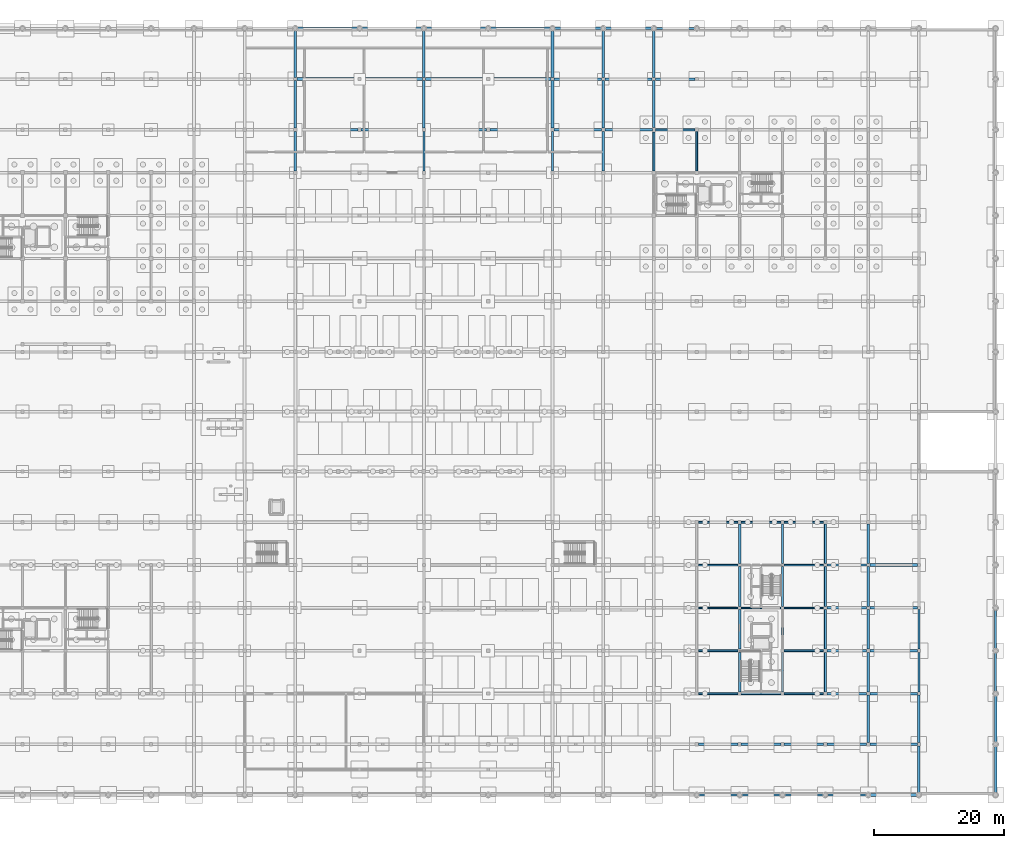
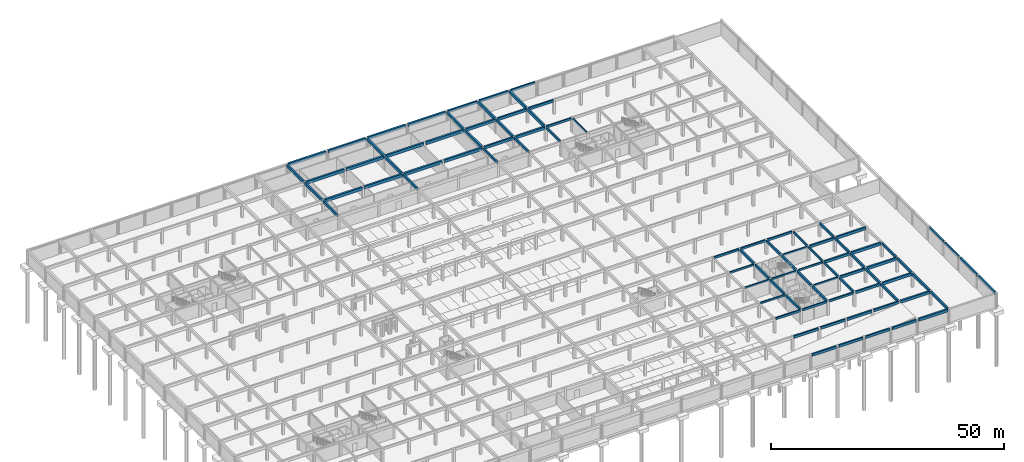
# One storey, part 20 of 37: 93 beams.
"""IFC4 building model written with IfcOpenShell, lengths in metres."""

from ifc_helpers import new_model, si_unit, direction, frame, origin, origin_2d, place, context, subcontext, project, spatial, rectangle, extrude, material, material_profile, profile_set, type_object, element, save


model = new_model("IFC4")

# Units and contexts
model_context = context("Model", 3, precision=1e-05, world=origin(), true_north=direction((0.0, 1.0)))
body_context = subcontext(model_context, "Body", "Model", "MODEL_VIEW")
ifc_project = project(units=[si_unit("LENGTHUNIT", "METRE"), si_unit("AREAUNIT", "SQUARE_METRE"), si_unit("VOLUMEUNIT", "CUBIC_METRE"), si_unit("PLANEANGLEUNIT", "RADIAN"), si_unit("MASSUNIT", "GRAM", prefix="KILO")], contexts=[model_context])

# Site, building, storey
site_placement = place(None, origin())
site = spatial("IfcSite", under=ifc_project, at=site_placement, CompositionType="ELEMENT")
building_placement = place(site_placement, origin())
building = spatial("IfcBuilding", under=site, at=building_placement, Name="Kernevlak Ridge Housing Community", CompositionType="ELEMENT")
storey_placement = place(building_placement, frame((0.0, 0.0, -3.800048828125)))
storey = spatial("IfcBuildingStorey", under=building, at=storey_placement, Name="B1", CompositionType="ELEMENT", Elevation=-3.800048828125)

# Beams
ifc_material = material(Name="Concrete C35/45", Category="concrete")
ifc_material_profile_1 = material_profile(ifc_material, rectangle(XDim=0.39990234375, YDim=0.699951171875, at=origin_2d()), Name="RC 400x700")
ifc_profile_set_1 = profile_set([ifc_material_profile_1], Name="Concrete C35/45")
beam_type_1 = type_object("IfcBeamType", Name="B-01", PredefinedType="BEAM", material=ifc_profile_set_1)
beam_1_placement = place(storey_placement, frame((152.699951171875, 0.0, 3.449951171875), z_axis=(1.0, 0.0, 0.0), x_axis=(0.0, 1.0, 0.0)))
element("IfcBeam", 1, at=beam_1_placement, inside=storey, type_object=beam_type_1, Name="Beam B-01 B1 1553", PredefinedType="BEAM", context=body_context, shape_type="SweptSolid", body=[
    extrude(rectangle(XDim=0.39990234375, YDim=0.699951171875, at=origin_2d()), origin(), (0.0, 0.0, 1.0), 7.199951171875),
])
for number, where, z_axis, x_axis, name in (
    (2, (152.64990234375, 7.800048828125, 3.449951171875), (1.0, 0.0, 0.0), (0.0, 1.0, 0.0), "Beam B-01 B1 1584"),
    (3, (152.64990234375, 15.60009765625, 3.449951171875), (1.0, 0.0, 0.0), (0.0, 1.0, 0.0), "Beam B-01 B1 1598"),
    (4, (152.64990234375, 22.199951171875, 3.449951171875), (1.0, 0.0, 0.0), (0.0, 1.0, 0.0), "Beam B-01 B1 1612"),
    (5, (152.64990234375, 28.800048828125, 3.449951171875), (1.0, 0.0, 0.0), (0.0, 1.0, 0.0), "Beam B-01 B1 1626"),
    (6, (152.64990234375, 35.39990234375, 3.449951171875), (1.0, 0.0, 0.0), (0.0, 1.0, 0.0), "Beam B-01 B1 1640"),
    (7, (104.050048828125, 102.39990234375, 3.449951171875), (1.0, 0.0, 0.0), (0.0, 1.0, 0.0), "Beam B-01 B1 1801"),
):
    element("IfcBeam", number, at=place(storey_placement, frame(where, z_axis=z_axis, x_axis=x_axis)), inside=storey, type_object=beam_type_1, Name=name, PredefinedType="BEAM", context=body_context, shape_type="SweptSolid", body=[
        extrude(rectangle(XDim=0.39990234375, YDim=0.699951171875, at=origin_2d()), origin(), (0.0, 0.0, 1.0), 7.300048828125),
    ])
beam_2_placement = place(storey_placement, frame((111.85009765625, 102.39990234375, 3.449951171875), z_axis=(1.0, 0.0, 0.0), x_axis=(0.0, 1.0, 0.0)))
element("IfcBeam", 8, at=beam_2_placement, inside=storey, type_object=beam_type_1, Name="Beam B-01 B1 1802", PredefinedType="BEAM", context=body_context, shape_type="SweptSolid", body=[
    extrude(rectangle(XDim=0.39990234375, YDim=0.699951171875, at=origin_2d()), origin(), (0.0, 0.0, 1.0), 7.324951171875),
])
beam_3_placement = place(storey_placement, frame((104.050048828125, 110.199951171875, 3.449951171875), z_axis=(1.0, 0.0, 0.0), x_axis=(0.0, 1.0, 0.0)))
element("IfcBeam", 9, at=beam_3_placement, inside=storey, type_object=beam_type_1, Name="Beam B-01 B1 1817", PredefinedType="BEAM", context=body_context, shape_type="SweptSolid", body=[
    extrude(rectangle(XDim=0.39990234375, YDim=0.699951171875, at=origin_2d()), origin(), (0.0, 0.0, 1.0), 7.300048828125),
])
beam_4_placement = place(storey_placement, frame((111.85009765625, 110.199951171875, 3.449951171875), z_axis=(1.0, 0.0, 0.0), x_axis=(0.0, 1.0, 0.0)))
element("IfcBeam", 10, at=beam_4_placement, inside=storey, type_object=beam_type_1, Name="Beam B-01 B1 1818", PredefinedType="BEAM", context=body_context, shape_type="SweptSolid", body=[
    extrude(rectangle(XDim=0.39990234375, YDim=0.699951171875, at=origin_2d()), origin(), (0.0, 0.0, 1.0), 7.2998046875),
])
beam_5_placement = place(storey_placement, frame((104.10009765625, 118.0, 3.449951171875), z_axis=(1.0, 0.0, 0.0), x_axis=(0.0, 1.0, 0.0)))
element("IfcBeam", 11, at=beam_5_placement, inside=storey, type_object=beam_type_1, Name="Beam B-01 B1 1838", PredefinedType="BEAM", context=body_context, shape_type="SweptSolid", body=[
    extrude(rectangle(XDim=0.39990234375, YDim=0.699951171875, at=origin_2d()), origin(), (0.0, 0.0, 1.0), 7.199951171875),
])
beam_6_placement = place(storey_placement, frame((111.89990234375, 118.0, 3.449951171875), z_axis=(1.0, 0.0, 0.0), x_axis=(0.0, 1.0, 0.0)))
element("IfcBeam", 12, at=beam_6_placement, inside=storey, type_object=beam_type_1, Name="Beam B-01 B1 1839", PredefinedType="BEAM", context=body_context, shape_type="SweptSolid", body=[
    extrude(rectangle(XDim=0.39990234375, YDim=0.699951171875, at=origin_2d()), origin(), (0.0, 0.0, 1.0), 7.2001953125),
])
beam_7_placement = place(storey_placement, frame((64.199951171875, 102.64990234375, 3.449951171875), z_axis=(0.0, 1.0, 0.0), x_axis=(-1.0, 0.0, 0.0)))
element("IfcBeam", 13, at=beam_7_placement, inside=storey, type_object=beam_type_1, Name="Beam B-01 B1 1932", PredefinedType="BEAM", context=body_context, shape_type="SweptSolid", body=[
    extrude(rectangle(XDim=0.39990234375, YDim=0.699951171875, at=origin_2d()), origin(), (0.0, 0.0, 1.0), 7.300048828125),
])
beam_8_placement = place(storey_placement, frame((64.199951171875, 110.449951171875, 3.449951171875), z_axis=(0.0, 1.0, 0.0), x_axis=(-1.0, 0.0, 0.0)))
element("IfcBeam", 14, at=beam_8_placement, inside=storey, type_object=beam_type_1, Name="Beam B-01 B1 1933", PredefinedType="BEAM", context=body_context, shape_type="SweptSolid", body=[
    extrude(rectangle(XDim=0.39990234375, YDim=0.699951171875, at=origin_2d()), origin(), (0.0, 0.0, 1.0), 7.25),
])
beam_9_placement = place(storey_placement, frame((84.0, 102.64990234375, 3.449951171875), z_axis=(0.0, 1.0, 0.0), x_axis=(-1.0, 0.0, 0.0)))
element("IfcBeam", 15, at=beam_9_placement, inside=storey, type_object=beam_type_1, Name="Beam B-01 B1 1949", PredefinedType="BEAM", context=body_context, shape_type="SweptSolid", body=[
    extrude(rectangle(XDim=0.39990234375, YDim=0.699951171875, at=origin_2d()), origin(), (0.0, 0.0, 1.0), 7.300048828125),
])
beam_10_placement = place(storey_placement, frame((84.0, 110.449951171875, 3.449951171875), z_axis=(0.0, 1.0, 0.0), x_axis=(-1.0, 0.0, 0.0)))
element("IfcBeam", 16, at=beam_10_placement, inside=storey, type_object=beam_type_1, Name="Beam B-01 B1 1950", PredefinedType="BEAM", context=body_context, shape_type="SweptSolid", body=[
    extrude(rectangle(XDim=0.39990234375, YDim=0.699951171875, at=origin_2d()), origin(), (0.0, 0.0, 1.0), 7.25),
])
beam_11_placement = place(storey_placement, frame((103.800048828125, 102.64990234375, 3.449951171875), z_axis=(0.0, 1.0, 0.0), x_axis=(-1.0, 0.0, 0.0)))
element("IfcBeam", 17, at=beam_11_placement, inside=storey, type_object=beam_type_1, Name="Beam B-01 B1 1966", PredefinedType="BEAM", context=body_context, shape_type="SweptSolid", body=[
    extrude(rectangle(XDim=0.39990234375, YDim=0.699951171875, at=origin_2d()), origin(), (0.0, 0.0, 1.0), 7.300048828125),
])
beam_12_placement = place(storey_placement, frame((103.800048828125, 110.449951171875, 3.449951171875), z_axis=(0.0, 1.0, 0.0), x_axis=(-1.0, 0.0, 0.0)))
element("IfcBeam", 18, at=beam_12_placement, inside=storey, type_object=beam_type_1, Name="Beam B-01 B1 1967", PredefinedType="BEAM", context=body_context, shape_type="SweptSolid", body=[
    extrude(rectangle(XDim=0.39990234375, YDim=0.699951171875, at=origin_2d()), origin(), (0.0, 0.0, 1.0), 7.25),
])
beam_13_placement = place(storey_placement, frame((111.60009765625, 102.64990234375, 3.449951171875), z_axis=(0.0, 1.0, 0.0), x_axis=(-1.0, 0.0, 0.0)))
element("IfcBeam", 19, at=beam_13_placement, inside=storey, type_object=beam_type_1, Name="Beam B-01 B1 1982", PredefinedType="BEAM", context=body_context, shape_type="SweptSolid", body=[
    extrude(rectangle(XDim=0.39990234375, YDim=0.699951171875, at=origin_2d()), origin(), (0.0, 0.0, 1.0), 7.300048828125),
])
beam_14_placement = place(storey_placement, frame((111.60009765625, 110.449951171875, 3.449951171875), z_axis=(0.0, 1.0, 0.0), x_axis=(-1.0, 0.0, 0.0)))
element("IfcBeam", 20, at=beam_14_placement, inside=storey, type_object=beam_type_1, Name="Beam B-01 B1 1983", PredefinedType="BEAM", context=body_context, shape_type="SweptSolid", body=[
    extrude(rectangle(XDim=0.39990234375, YDim=0.699951171875, at=origin_2d()), origin(), (0.0, 0.0, 1.0), 7.25),
])
beam_15_placement = place(storey_placement, frame((119.39990234375, 102.72509765625, 3.449951171875), z_axis=(0.0, 1.0, 0.0), x_axis=(-1.0, 0.0, 0.0)))
element("IfcBeam", 21, at=beam_15_placement, inside=storey, type_object=beam_type_1, Name="Beam B-01 B1 1995", PredefinedType="BEAM", context=body_context, shape_type="SweptSolid", body=[
    extrude(rectangle(XDim=0.39990234375, YDim=0.699951171875, at=origin_2d()), origin(), (0.0, 0.0, 1.0), 7.224853515625),
])
beam_16_placement = place(storey_placement, frame((119.39990234375, 110.449951171875, 3.449951171875), z_axis=(0.0, 1.0, 0.0), x_axis=(-1.0, 0.0, 0.0)))
element("IfcBeam", 22, at=beam_16_placement, inside=storey, type_object=beam_type_1, Name="Beam B-01 B1 1996", PredefinedType="BEAM", context=body_context, shape_type="SweptSolid", body=[
    extrude(rectangle(XDim=0.39990234375, YDim=0.699951171875, at=origin_2d()), origin(), (0.0, 0.0, 1.0), 7.25),
])
beam_17_placement = place(storey_placement, frame((152.39990234375, 8.050048828125, 3.449951171875), z_axis=(0.0, 1.0, 0.0), x_axis=(-1.0, 0.0, 0.0)))
element("IfcBeam", 23, at=beam_17_placement, inside=storey, type_object=beam_type_1, Name="Beam B-01 B1 1997", PredefinedType="BEAM", context=body_context, shape_type="SweptSolid", body=[
    extrude(rectangle(XDim=0.39990234375, YDim=0.699951171875, at=origin_2d()), origin(), (0.0, 0.0, 1.0), 7.300048828125),
])
beam_18_placement = place(storey_placement, frame((160.199951171875, 0.300048828125, 3.449951171875), z_axis=(0.0, 1.0, 0.0), x_axis=(-1.0, 0.0, 0.0)))
element("IfcBeam", 24, at=beam_18_placement, inside=storey, type_object=beam_type_1, Name="Beam B-01 B1 2009", PredefinedType="BEAM", context=body_context, shape_type="SweptSolid", body=[
    extrude(rectangle(XDim=0.39990234375, YDim=0.699951171875, at=origin_2d()), origin(), (0.0, 0.0, 1.0), 7.25),
])
beam_19_placement = place(storey_placement, frame((160.199951171875, 8.050048828125, 3.449951171875), z_axis=(0.0, 1.0, 0.0), x_axis=(-1.0, 0.0, 0.0)))
element("IfcBeam", 25, at=beam_19_placement, inside=storey, type_object=beam_type_1, Name="Beam B-01 B1 2010", PredefinedType="BEAM", context=body_context, shape_type="SweptSolid", body=[
    extrude(rectangle(XDim=0.39990234375, YDim=0.699951171875, at=origin_2d()), origin(), (0.0, 0.0, 1.0), 7.300048828125),
])
beam_20_placement = place(storey_placement, frame((172.0, 0.35009765625, 3.449951171875), z_axis=(0.0, 1.0, 0.0), x_axis=(-1.0, 0.0, 0.0)))
element("IfcBeam", 26, at=beam_20_placement, inside=storey, type_object=beam_type_1, Name="Beam B-01 B1 2025", PredefinedType="BEAM", context=body_context, shape_type="SweptSolid", body=[
    extrude(rectangle(XDim=0.39990234375, YDim=0.699951171875, at=origin_2d()), origin(), (0.0, 0.0, 1.0), 7.14990234375),
])
beam_21_placement = place(storey_placement, frame((172.0, 8.10009765625, 3.449951171875), z_axis=(0.0, 1.0, 0.0), x_axis=(-1.0, 0.0, 0.0)))
element("IfcBeam", 27, at=beam_21_placement, inside=storey, type_object=beam_type_1, Name="Beam B-01 B1 2026", PredefinedType="BEAM", context=body_context, shape_type="SweptSolid", body=[
    extrude(rectangle(XDim=0.39990234375, YDim=0.699951171875, at=origin_2d()), origin(), (0.0, 0.0, 1.0), 7.199951171875),
])
ifc_material_profile_2 = material_profile(ifc_material, rectangle(XDim=0.35009765625, YDim=0.64990234375, at=origin_2d()), Name="RC 350x650")
ifc_profile_set_2 = profile_set([ifc_material_profile_2], Name="Concrete C35/45")
beam_type_2 = type_object("IfcBeamType", Name="B-02", PredefinedType="BEAM", material=ifc_profile_set_2)
beam_22_placement = place(storey_placement, frame((132.60009765625, 15.85009765625, 3.47509765625), z_axis=(0.0, 1.0, 0.0), x_axis=(-1.0, 0.0, 0.0)))
element("IfcBeam", 28, at=beam_22_placement, inside=storey, type_object=beam_type_2, Name="Beam B-02 B1 963", PredefinedType="BEAM", context=body_context, shape_type="SweptSolid", body=[
    extrude(rectangle(XDim=0.35009765625, YDim=0.64990234375, at=origin_2d()), origin(), (0.0, 0.0, 1.0), 6.099853515625),
])
beam_23_placement = place(storey_placement, frame((132.60009765625, 22.449951171875, 3.47509765625), z_axis=(0.0, 1.0, 0.0), x_axis=(-1.0, 0.0, 0.0)))
element("IfcBeam", 29, at=beam_23_placement, inside=storey, type_object=beam_type_2, Name="Beam B-02 B1 964", PredefinedType="BEAM", context=body_context, shape_type="SweptSolid", body=[
    extrude(rectangle(XDim=0.35009765625, YDim=0.64990234375, at=origin_2d()), origin(), (0.0, 0.0, 1.0), 6.10009765625),
])
beam_24_placement = place(storey_placement, frame((132.60009765625, 29.050048828125, 3.47509765625), z_axis=(0.0, 1.0, 0.0), x_axis=(-1.0, 0.0, 0.0)))
element("IfcBeam", 30, at=beam_24_placement, inside=storey, type_object=beam_type_2, Name="Beam B-02 B1 965", PredefinedType="BEAM", context=body_context, shape_type="SweptSolid", body=[
    extrude(rectangle(XDim=0.35009765625, YDim=0.64990234375, at=origin_2d()), origin(), (0.0, 0.0, 1.0), 6.099853515625),
])
beam_25_placement = place(storey_placement, frame((132.60009765625, 35.64990234375, 3.47509765625), z_axis=(0.0, 1.0, 0.0), x_axis=(-1.0, 0.0, 0.0)))
element("IfcBeam", 31, at=beam_25_placement, inside=storey, type_object=beam_type_2, Name="Beam B-02 B1 966", PredefinedType="BEAM", context=body_context, shape_type="SweptSolid", body=[
    extrude(rectangle(XDim=0.35009765625, YDim=0.64990234375, at=origin_2d()), origin(), (0.0, 0.0, 1.0), 6.10009765625),
])
beam_26_placement = place(storey_placement, frame((139.199951171875, 15.85009765625, 3.47509765625), z_axis=(0.0, 1.0, 0.0), x_axis=(-1.0, 0.0, 0.0)))
element("IfcBeam", 32, at=beam_26_placement, inside=storey, type_object=beam_type_2, Name="Beam B-02 B1 967", PredefinedType="BEAM", context=body_context, shape_type="SweptSolid", body=[
    extrude(rectangle(XDim=0.35009765625, YDim=0.64990234375, at=origin_2d()), origin(), (0.0, 0.0, 1.0), 6.099853515625),
])
beam_27_placement = place(storey_placement, frame((139.199951171875, 22.449951171875, 3.47509765625), z_axis=(0.0, 1.0, 0.0), x_axis=(-1.0, 0.0, 0.0)))
element("IfcBeam", 33, at=beam_27_placement, inside=storey, type_object=beam_type_2, Name="Beam B-02 B1 968", PredefinedType="BEAM", context=body_context, shape_type="SweptSolid", body=[
    extrude(rectangle(XDim=0.35009765625, YDim=0.64990234375, at=origin_2d()), origin(), (0.0, 0.0, 1.0), 6.10009765625),
])
beam_28_placement = place(storey_placement, frame((139.199951171875, 29.050048828125, 3.47509765625), z_axis=(0.0, 1.0, 0.0), x_axis=(-1.0, 0.0, 0.0)))
element("IfcBeam", 34, at=beam_28_placement, inside=storey, type_object=beam_type_2, Name="Beam B-02 B1 969", PredefinedType="BEAM", context=body_context, shape_type="SweptSolid", body=[
    extrude(rectangle(XDim=0.35009765625, YDim=0.64990234375, at=origin_2d()), origin(), (0.0, 0.0, 1.0), 6.099853515625),
])
beam_29_placement = place(storey_placement, frame((139.199951171875, 35.64990234375, 3.47509765625), z_axis=(0.0, 1.0, 0.0), x_axis=(-1.0, 0.0, 0.0)))
element("IfcBeam", 35, at=beam_29_placement, inside=storey, type_object=beam_type_2, Name="Beam B-02 B1 970", PredefinedType="BEAM", context=body_context, shape_type="SweptSolid", body=[
    extrude(rectangle(XDim=0.35009765625, YDim=0.64990234375, at=origin_2d()), origin(), (0.0, 0.0, 1.0), 6.10009765625),
])
for number, where, z_axis, x_axis, name in (
    (36, (126.300048828125, 0.0, 3.47509765625), (1.0, 0.0, 0.0), (0.0, 1.0, 0.0), "Beam B-02 B1 1549"),
    (37, (132.89990234375, 0.0, 3.47509765625), (1.0, 0.0, 0.0), (0.0, 1.0, 0.0), "Beam B-02 B1 1550"),
    (38, (139.5, 0.0, 3.47509765625), (1.0, 0.0, 0.0), (0.0, 1.0, 0.0), "Beam B-02 B1 1551"),
    (39, (146.10009765625, 0.0, 3.47509765625), (1.0, 0.0, 0.0), (0.0, 1.0, 0.0), "Beam B-02 B1 1552"),
):
    element("IfcBeam", number, at=place(storey_placement, frame(where, z_axis=z_axis, x_axis=x_axis)), inside=storey, type_object=beam_type_2, Name=name, PredefinedType="BEAM", context=body_context, shape_type="SweptSolid", body=[
        extrude(rectangle(XDim=0.35009765625, YDim=0.64990234375, at=origin_2d()), origin(), (0.0, 0.0, 1.0), 6.0),
    ])
beam_30_placement = place(storey_placement, frame((126.25, 7.800048828125, 3.47509765625), z_axis=(1.0, 0.0, 0.0), x_axis=(0.0, 1.0, 0.0)))
element("IfcBeam", 40, at=beam_30_placement, inside=storey, type_object=beam_type_2, Name="Beam B-02 B1 1580", PredefinedType="BEAM", context=body_context, shape_type="SweptSolid", body=[
    extrude(rectangle(XDim=0.35009765625, YDim=0.64990234375, at=origin_2d()), origin(), (0.0, 0.0, 1.0), 6.10009765625),
])
beam_31_placement = place(storey_placement, frame((132.85009765625, 7.800048828125, 3.47509765625), z_axis=(1.0, 0.0, 0.0), x_axis=(0.0, 1.0, 0.0)))
element("IfcBeam", 41, at=beam_31_placement, inside=storey, type_object=beam_type_2, Name="Beam B-02 B1 1581", PredefinedType="BEAM", context=body_context, shape_type="SweptSolid", body=[
    extrude(rectangle(XDim=0.35009765625, YDim=0.64990234375, at=origin_2d()), origin(), (0.0, 0.0, 1.0), 6.099853515625),
])
beam_32_placement = place(storey_placement, frame((139.449951171875, 7.800048828125, 3.47509765625), z_axis=(1.0, 0.0, 0.0), x_axis=(0.0, 1.0, 0.0)))
element("IfcBeam", 42, at=beam_32_placement, inside=storey, type_object=beam_type_2, Name="Beam B-02 B1 1582", PredefinedType="BEAM", context=body_context, shape_type="SweptSolid", body=[
    extrude(rectangle(XDim=0.35009765625, YDim=0.64990234375, at=origin_2d()), origin(), (0.0, 0.0, 1.0), 6.10009765625),
])
for number, where, z_axis, x_axis, name in (
    (43, (146.050048828125, 7.800048828125, 3.47509765625), (1.0, 0.0, 0.0), (0.0, 1.0, 0.0), "Beam B-02 B1 1583"),
    (44, (146.050048828125, 15.60009765625, 3.47509765625), (1.0, 0.0, 0.0), (0.0, 1.0, 0.0), "Beam B-02 B1 1597"),
    (45, (146.050048828125, 22.199951171875, 3.47509765625), (1.0, 0.0, 0.0), (0.0, 1.0, 0.0), "Beam B-02 B1 1611"),
    (46, (146.050048828125, 28.800048828125, 3.47509765625), (1.0, 0.0, 0.0), (0.0, 1.0, 0.0), "Beam B-02 B1 1625"),
    (47, (146.050048828125, 35.39990234375, 3.47509765625), (1.0, 0.0, 0.0), (0.0, 1.0, 0.0), "Beam B-02 B1 1639"),
):
    element("IfcBeam", number, at=place(storey_placement, frame(where, z_axis=z_axis, x_axis=x_axis)), inside=storey, type_object=beam_type_2, Name=name, PredefinedType="BEAM", context=body_context, shape_type="SweptSolid", body=[
        extrude(rectangle(XDim=0.35009765625, YDim=0.64990234375, at=origin_2d()), origin(), (0.0, 0.0, 1.0), 6.099853515625),
    ])
beam_33_placement = place(storey_placement, frame((119.64990234375, 110.199951171875, 3.47509765625), z_axis=(1.0, 0.0, 0.0), x_axis=(0.0, 1.0, 0.0)))
element("IfcBeam", 48, at=beam_33_placement, inside=storey, type_object=beam_type_2, Name="Beam B-02 B1 1819", PredefinedType="BEAM", context=body_context, shape_type="SweptSolid", body=[
    extrude(rectangle(XDim=0.35009765625, YDim=0.64990234375, at=origin_2d()), origin(), (0.0, 0.0, 1.0), 6.10009765625),
])
beam_34_placement = place(storey_placement, frame((119.699951171875, 118.0, 3.47509765625), z_axis=(1.0, 0.0, 0.0), x_axis=(0.0, 1.0, 0.0)))
element("IfcBeam", 49, at=beam_34_placement, inside=storey, type_object=beam_type_2, Name="Beam B-02 B1 1840", PredefinedType="BEAM", context=body_context, shape_type="SweptSolid", body=[
    extrude(rectangle(XDim=0.35009765625, YDim=0.64990234375, at=origin_2d()), origin(), (0.0, 0.0, 1.0), 6.0),
])
for number, where, z_axis, x_axis, name in (
    (50, (64.199951171875, 96.050048828125, 3.47509765625), (0.0, 1.0, 0.0), (-1.0, 0.0, 0.0), "Beam B-02 B1 1931"),
    (51, (84.0, 96.050048828125, 3.47509765625), (0.0, 1.0, 0.0), (-1.0, 0.0, 0.0), "Beam B-02 B1 1948"),
    (52, (103.800048828125, 96.050048828125, 3.47509765625), (0.0, 1.0, 0.0), (-1.0, 0.0, 0.0), "Beam B-02 B1 1965"),
    (53, (111.60009765625, 96.050048828125, 3.47509765625), (0.0, 1.0, 0.0), (-1.0, 0.0, 0.0), "Beam B-02 B1 1981"),
    (54, (152.39990234375, 15.85009765625, 3.47509765625), (0.0, 1.0, 0.0), (-1.0, 0.0, 0.0), "Beam B-02 B1 1998"),
):
    element("IfcBeam", number, at=place(storey_placement, frame(where, z_axis=z_axis, x_axis=x_axis)), inside=storey, type_object=beam_type_2, Name=name, PredefinedType="BEAM", context=body_context, shape_type="SweptSolid", body=[
        extrude(rectangle(XDim=0.35009765625, YDim=0.64990234375, at=origin_2d()), origin(), (0.0, 0.0, 1.0), 6.099853515625),
    ])
beam_35_placement = place(storey_placement, frame((152.39990234375, 22.449951171875, 3.47509765625), z_axis=(0.0, 1.0, 0.0), x_axis=(-1.0, 0.0, 0.0)))
element("IfcBeam", 55, at=beam_35_placement, inside=storey, type_object=beam_type_2, Name="Beam B-02 B1 1999", PredefinedType="BEAM", context=body_context, shape_type="SweptSolid", body=[
    extrude(rectangle(XDim=0.35009765625, YDim=0.64990234375, at=origin_2d()), origin(), (0.0, 0.0, 1.0), 6.10009765625),
])
beam_36_placement = place(storey_placement, frame((152.39990234375, 29.050048828125, 3.47509765625), z_axis=(0.0, 1.0, 0.0), x_axis=(-1.0, 0.0, 0.0)))
element("IfcBeam", 56, at=beam_36_placement, inside=storey, type_object=beam_type_2, Name="Beam B-02 B1 2000", PredefinedType="BEAM", context=body_context, shape_type="SweptSolid", body=[
    extrude(rectangle(XDim=0.35009765625, YDim=0.64990234375, at=origin_2d()), origin(), (0.0, 0.0, 1.0), 6.099853515625),
])
beam_37_placement = place(storey_placement, frame((152.39990234375, 35.64990234375, 3.47509765625), z_axis=(0.0, 1.0, 0.0), x_axis=(-1.0, 0.0, 0.0)))
element("IfcBeam", 57, at=beam_37_placement, inside=storey, type_object=beam_type_2, Name="Beam B-02 B1 2001", PredefinedType="BEAM", context=body_context, shape_type="SweptSolid", body=[
    extrude(rectangle(XDim=0.35009765625, YDim=0.64990234375, at=origin_2d()), origin(), (0.0, 0.0, 1.0), 6.10009765625),
])
beam_38_placement = place(storey_placement, frame((160.199951171875, 15.85009765625, 3.47509765625), z_axis=(0.0, 1.0, 0.0), x_axis=(-1.0, 0.0, 0.0)))
element("IfcBeam", 58, at=beam_38_placement, inside=storey, type_object=beam_type_2, Name="Beam B-02 B1 2011", PredefinedType="BEAM", context=body_context, shape_type="SweptSolid", body=[
    extrude(rectangle(XDim=0.35009765625, YDim=0.64990234375, at=origin_2d()), origin(), (0.0, 0.0, 1.0), 6.099853515625),
])
beam_39_placement = place(storey_placement, frame((160.199951171875, 22.449951171875, 3.47509765625), z_axis=(0.0, 1.0, 0.0), x_axis=(-1.0, 0.0, 0.0)))
element("IfcBeam", 59, at=beam_39_placement, inside=storey, type_object=beam_type_2, Name="Beam B-02 B1 2012", PredefinedType="BEAM", context=body_context, shape_type="SweptSolid", body=[
    extrude(rectangle(XDim=0.35009765625, YDim=0.64990234375, at=origin_2d()), origin(), (0.0, 0.0, 1.0), 6.10009765625),
])
for number, where, z_axis, x_axis, name in (
    (60, (172.0, 15.89990234375, 3.47509765625), (0.0, 1.0, 0.0), (-1.0, 0.0, 0.0), "Beam B-02 B1 2027"),
    (61, (172.0, 22.5, 3.47509765625), (0.0, 1.0, 0.0), (-1.0, 0.0, 0.0), "Beam B-02 B1 2028"),
):
    element("IfcBeam", number, at=place(storey_placement, frame(where, z_axis=z_axis, x_axis=x_axis)), inside=storey, type_object=beam_type_2, Name=name, PredefinedType="BEAM", context=body_context, shape_type="SweptSolid", body=[
        extrude(rectangle(XDim=0.35009765625, YDim=0.64990234375, at=origin_2d()), origin(), (0.0, 0.0, 1.0), 6.0),
    ])
ifc_material_profile_3 = material_profile(ifc_material, rectangle(XDim=0.25, YDim=0.449951171875, at=origin_2d()), Name="RC 250x450")
ifc_profile_set_3 = profile_set([ifc_material_profile_3], Name="Concrete C35/45")
beam_type_3 = type_object("IfcBeamType", Name="B-04", PredefinedType="T_BEAM", material=ifc_profile_set_3)
beam_40_placement = place(storey_placement, frame((126.0, 96.074951171875, 3.574951171875), z_axis=(0.0, 1.0, 0.0), x_axis=(-1.0, 0.0, 0.0)))
element("IfcBeam", 62, at=beam_40_placement, inside=storey, type_object=beam_type_3, Name="Beam B-04 B1 545", PredefinedType="T_BEAM", context=body_context, shape_type="SweptSolid", body=[
    extrude(rectangle(XDim=0.25, YDim=0.449951171875, at=origin_2d()), origin(), (0.0, 0.0, 1.0), 6.050048828125),
])
for number, where, z_axis, x_axis, name in (
    (63, (126.25, 22.199951171875, 3.574951171875), (1.0, 0.0, 0.0), (0.0, 1.0, 0.0), "Beam B-04 B1 978"),
    (64, (139.449951171875, 22.199951171875, 3.574951171875), (1.0, 0.0, 0.0), (0.0, 1.0, 0.0), "Beam B-04 B1 979"),
    (65, (126.25, 28.800048828125, 3.574951171875), (1.0, 0.0, 0.0), (0.0, 1.0, 0.0), "Beam B-04 B1 980"),
):
    element("IfcBeam", number, at=place(storey_placement, frame(where, z_axis=z_axis, x_axis=x_axis)), inside=storey, type_object=beam_type_3, Name=name, PredefinedType="T_BEAM", context=body_context, shape_type="SweptSolid", body=[
        extrude(rectangle(XDim=0.25, YDim=0.449951171875, at=origin_2d()), origin(), (0.0, 0.0, 1.0), 6.10009765625),
    ])
beam_41_placement = place(storey_placement, frame((132.85009765625, 28.800048828125, 3.574951171875), z_axis=(1.0, 0.0, 0.0), x_axis=(0.0, 1.0, 0.0)))
element("IfcBeam", 66, at=beam_41_placement, inside=storey, type_object=beam_type_3, Name="Beam B-04 B1 981", PredefinedType="T_BEAM", context=body_context, shape_type="SweptSolid", body=[
    extrude(rectangle(XDim=0.25, YDim=0.449951171875, at=origin_2d()), origin(), (0.0, 0.0, 1.0), 6.099853515625),
])
for number, where, z_axis, x_axis, name in (
    (67, (139.449951171875, 28.800048828125, 3.574951171875), (1.0, 0.0, 0.0), (0.0, 1.0, 0.0), "Beam B-04 B1 982"),
    (68, (126.25, 35.39990234375, 3.574951171875), (1.0, 0.0, 0.0), (0.0, 1.0, 0.0), "Beam B-04 B1 983"),
    (69, (139.449951171875, 35.39990234375, 3.574951171875), (1.0, 0.0, 0.0), (0.0, 1.0, 0.0), "Beam B-04 B1 984"),
):
    element("IfcBeam", number, at=place(storey_placement, frame(where, z_axis=z_axis, x_axis=x_axis)), inside=storey, type_object=beam_type_3, Name=name, PredefinedType="T_BEAM", context=body_context, shape_type="SweptSolid", body=[
        extrude(rectangle(XDim=0.25, YDim=0.449951171875, at=origin_2d()), origin(), (0.0, 0.0, 1.0), 6.10009765625),
    ])
ifc_material_profile_4 = material_profile(ifc_material, rectangle(XDim=0.449951171875, YDim=0.75, at=origin_2d()), Name="RC 450x750")
ifc_profile_set_4 = profile_set([ifc_material_profile_4], Name="Concrete C35/45")
beam_type_4 = type_object("IfcBeamType", Name="B-05", PredefinedType="BEAM", material=ifc_profile_set_4)
beam_42_placement = place(storey_placement, frame((64.449951171875, 102.39990234375, 3.425048828125), z_axis=(1.0, 0.0, 0.0), x_axis=(0.0, 1.0, 0.0)))
element("IfcBeam", 70, at=beam_42_placement, inside=storey, type_object=beam_type_4, Name="Beam B-05 B1 1797", PredefinedType="BEAM", context=body_context, shape_type="SweptSolid", body=[
    extrude(rectangle(XDim=0.449951171875, YDim=0.75, at=origin_2d()), origin(), (0.0, 0.0, 1.0), 9.400146484375),
])
for number, where, z_axis, x_axis, name in (
    (71, (74.35009765625, 102.39990234375, 3.425048828125), (1.0, 0.0, 0.0), (0.0, 1.0, 0.0), "Beam B-05 B1 1798"),
    (72, (84.25, 102.39990234375, 3.425048828125), (1.0, 0.0, 0.0), (0.0, 1.0, 0.0), "Beam B-05 B1 1799"),
):
    element("IfcBeam", number, at=place(storey_placement, frame(where, z_axis=z_axis, x_axis=x_axis)), inside=storey, type_object=beam_type_4, Name=name, PredefinedType="BEAM", context=body_context, shape_type="SweptSolid", body=[
        extrude(rectangle(XDim=0.449951171875, YDim=0.75, at=origin_2d()), origin(), (0.0, 0.0, 1.0), 9.39990234375),
    ])
for number, where, z_axis, x_axis, name in (
    (73, (94.14990234375, 102.39990234375, 3.425048828125), (1.0, 0.0, 0.0), (0.0, 1.0, 0.0), "Beam B-05 B1 1800"),
    (74, (64.449951171875, 110.199951171875, 3.425048828125), (1.0, 0.0, 0.0), (0.0, 1.0, 0.0), "Beam B-05 B1 1813"),
):
    element("IfcBeam", number, at=place(storey_placement, frame(where, z_axis=z_axis, x_axis=x_axis)), inside=storey, type_object=beam_type_4, Name=name, PredefinedType="BEAM", context=body_context, shape_type="SweptSolid", body=[
        extrude(rectangle(XDim=0.449951171875, YDim=0.75, at=origin_2d()), origin(), (0.0, 0.0, 1.0), 9.400146484375),
    ])
for number, where, z_axis, x_axis, name in (
    (75, (74.35009765625, 110.199951171875, 3.425048828125), (1.0, 0.0, 0.0), (0.0, 1.0, 0.0), "Beam B-05 B1 1814"),
    (76, (84.25, 110.199951171875, 3.425048828125), (1.0, 0.0, 0.0), (0.0, 1.0, 0.0), "Beam B-05 B1 1815"),
):
    element("IfcBeam", number, at=place(storey_placement, frame(where, z_axis=z_axis, x_axis=x_axis)), inside=storey, type_object=beam_type_4, Name=name, PredefinedType="BEAM", context=body_context, shape_type="SweptSolid", body=[
        extrude(rectangle(XDim=0.449951171875, YDim=0.75, at=origin_2d()), origin(), (0.0, 0.0, 1.0), 9.39990234375),
    ])
beam_43_placement = place(storey_placement, frame((94.14990234375, 110.199951171875, 3.425048828125), z_axis=(1.0, 0.0, 0.0), x_axis=(0.0, 1.0, 0.0)))
element("IfcBeam", 77, at=beam_43_placement, inside=storey, type_object=beam_type_4, Name="Beam B-05 B1 1816", PredefinedType="BEAM", context=body_context, shape_type="SweptSolid", body=[
    extrude(rectangle(XDim=0.449951171875, YDim=0.75, at=origin_2d()), origin(), (0.0, 0.0, 1.0), 9.400146484375),
])
for number, where, z_axis, x_axis, name in (
    (78, (64.5, 118.0, 3.425048828125), (1.0, 0.0, 0.0), (0.0, 1.0, 0.0), "Beam B-05 B1 1834"),
    (79, (74.39990234375, 118.0, 3.425048828125), (1.0, 0.0, 0.0), (0.0, 1.0, 0.0), "Beam B-05 B1 1835"),
    (80, (84.300048828125, 118.0, 3.425048828125), (1.0, 0.0, 0.0), (0.0, 1.0, 0.0), "Beam B-05 B1 1836"),
    (81, (94.199951171875, 118.0, 3.425048828125), (1.0, 0.0, 0.0), (0.0, 1.0, 0.0), "Beam B-05 B1 1837"),
):
    element("IfcBeam", number, at=place(storey_placement, frame(where, z_axis=z_axis, x_axis=x_axis)), inside=storey, type_object=beam_type_4, Name=name, PredefinedType="BEAM", context=body_context, shape_type="SweptSolid", body=[
        extrude(rectangle(XDim=0.449951171875, YDim=0.75, at=origin_2d()), origin(), (0.0, 0.0, 1.0), 9.300048828125),
    ])
ifc_material_profile_5 = material_profile(ifc_material, rectangle(XDim=0.300048828125, YDim=0.550048828125, at=origin_2d()), Name="RC 300x550")
ifc_profile_set_5 = profile_set([ifc_material_profile_5], Name="Concrete C35/45")
beam_type_5 = type_object("IfcBeamType", Name="SP-01", PredefinedType="SPANDREL", material=ifc_profile_set_5)
beam_44_placement = place(storey_placement, frame((119.625, 102.39990234375, 3.525146484375), z_axis=(1.0, 0.0, 0.0), x_axis=(0.0, 1.0, 0.0)))
element("IfcBeam", 82, at=beam_44_placement, inside=storey, type_object=beam_type_5, Name="Beam SP-01 B1 536", PredefinedType="SPANDREL", context=body_context, shape_type="SweptSolid", body=[
    extrude(rectangle(XDim=0.300048828125, YDim=0.550048828125, at=origin_2d()), origin(), (0.0, 0.0, 1.0), 6.10009765625),
])
beam_45_placement = place(storey_placement, frame((119.39990234375, 96.074951171875, 3.525146484375), z_axis=(0.0, 1.0, 0.0), x_axis=(-1.0, 0.0, 0.0)))
element("IfcBeam", 83, at=beam_45_placement, inside=storey, type_object=beam_type_5, Name="Beam SP-01 B1 543", PredefinedType="SPANDREL", context=body_context, shape_type="SweptSolid", body=[
    extrude(rectangle(XDim=0.300048828125, YDim=0.550048828125, at=origin_2d()), origin(), (0.0, 0.0, 1.0), 6.0),
])
beam_46_placement = place(storey_placement, frame((145.800048828125, 15.85009765625, 3.525146484375), z_axis=(0.0, 1.0, 0.0), x_axis=(-1.0, 0.0, 0.0)))
element("IfcBeam", 84, at=beam_46_placement, inside=storey, type_object=beam_type_5, Name="Beam SP-01 B1 971", PredefinedType="SPANDREL", context=body_context, shape_type="SweptSolid", body=[
    extrude(rectangle(XDim=0.300048828125, YDim=0.550048828125, at=origin_2d()), origin(), (0.0, 0.0, 1.0), 6.099853515625),
])
beam_47_placement = place(storey_placement, frame((145.800048828125, 22.449951171875, 3.525146484375), z_axis=(0.0, 1.0, 0.0), x_axis=(-1.0, 0.0, 0.0)))
element("IfcBeam", 85, at=beam_47_placement, inside=storey, type_object=beam_type_5, Name="Beam SP-01 B1 972", PredefinedType="SPANDREL", context=body_context, shape_type="SweptSolid", body=[
    extrude(rectangle(XDim=0.300048828125, YDim=0.550048828125, at=origin_2d()), origin(), (0.0, 0.0, 1.0), 6.10009765625),
])
beam_48_placement = place(storey_placement, frame((145.800048828125, 29.050048828125, 3.525146484375), z_axis=(0.0, 1.0, 0.0), x_axis=(-1.0, 0.0, 0.0)))
element("IfcBeam", 86, at=beam_48_placement, inside=storey, type_object=beam_type_5, Name="Beam SP-01 B1 973", PredefinedType="SPANDREL", context=body_context, shape_type="SweptSolid", body=[
    extrude(rectangle(XDim=0.300048828125, YDim=0.550048828125, at=origin_2d()), origin(), (0.0, 0.0, 1.0), 6.099853515625),
])
for number, where, z_axis, x_axis, name in (
    (87, (145.800048828125, 35.64990234375, 3.525146484375), (0.0, 1.0, 0.0), (-1.0, 0.0, 0.0), "Beam SP-01 B1 974"),
    (88, (126.25, 15.60009765625, 3.525146484375), (1.0, 0.0, 0.0), (0.0, 1.0, 0.0), "Beam SP-01 B1 975"),
):
    element("IfcBeam", number, at=place(storey_placement, frame(where, z_axis=z_axis, x_axis=x_axis)), inside=storey, type_object=beam_type_5, Name=name, PredefinedType="SPANDREL", context=body_context, shape_type="SweptSolid", body=[
        extrude(rectangle(XDim=0.300048828125, YDim=0.550048828125, at=origin_2d()), origin(), (0.0, 0.0, 1.0), 6.10009765625),
    ])
beam_49_placement = place(storey_placement, frame((132.85009765625, 15.60009765625, 3.525146484375), z_axis=(1.0, 0.0, 0.0), x_axis=(0.0, 1.0, 0.0)))
element("IfcBeam", 89, at=beam_49_placement, inside=storey, type_object=beam_type_5, Name="Beam SP-01 B1 976", PredefinedType="SPANDREL", context=body_context, shape_type="SweptSolid", body=[
    extrude(rectangle(XDim=0.300048828125, YDim=0.550048828125, at=origin_2d()), origin(), (0.0, 0.0, 1.0), 6.099853515625),
])
for number, where, z_axis, x_axis, name in (
    (90, (139.449951171875, 15.60009765625, 3.525146484375), (1.0, 0.0, 0.0), (0.0, 1.0, 0.0), "Beam SP-01 B1 977"),
    (91, (126.25, 42.0, 3.525146484375), (1.0, 0.0, 0.0), (0.0, 1.0, 0.0), "Beam SP-01 B1 985"),
):
    element("IfcBeam", number, at=place(storey_placement, frame(where, z_axis=z_axis, x_axis=x_axis)), inside=storey, type_object=beam_type_5, Name=name, PredefinedType="SPANDREL", context=body_context, shape_type="SweptSolid", body=[
        extrude(rectangle(XDim=0.300048828125, YDim=0.550048828125, at=origin_2d()), origin(), (0.0, 0.0, 1.0), 6.10009765625),
    ])
beam_50_placement = place(storey_placement, frame((132.85009765625, 42.0, 3.525146484375), z_axis=(1.0, 0.0, 0.0), x_axis=(0.0, 1.0, 0.0)))
element("IfcBeam", 92, at=beam_50_placement, inside=storey, type_object=beam_type_5, Name="Beam SP-01 B1 986", PredefinedType="SPANDREL", context=body_context, shape_type="SweptSolid", body=[
    extrude(rectangle(XDim=0.300048828125, YDim=0.550048828125, at=origin_2d()), origin(), (0.0, 0.0, 1.0), 6.099853515625),
])
beam_51_placement = place(storey_placement, frame((139.449951171875, 42.0, 3.525146484375), z_axis=(1.0, 0.0, 0.0), x_axis=(0.0, 1.0, 0.0)))
element("IfcBeam", 93, at=beam_51_placement, inside=storey, type_object=beam_type_5, Name="Beam SP-01 B1 987", PredefinedType="SPANDREL", context=body_context, shape_type="SweptSolid", body=[
    extrude(rectangle(XDim=0.300048828125, YDim=0.550048828125, at=origin_2d()), origin(), (0.0, 0.0, 1.0), 6.10009765625),
])

save(model, "model.ifc")
